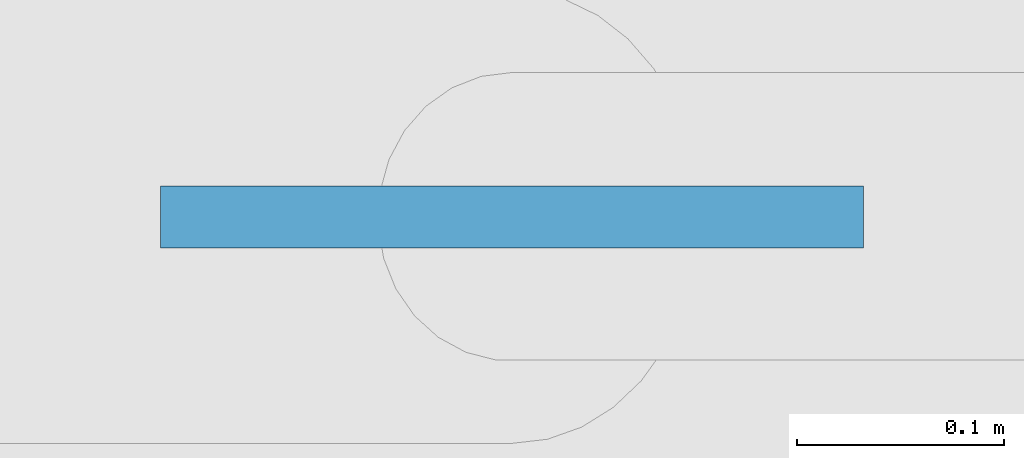
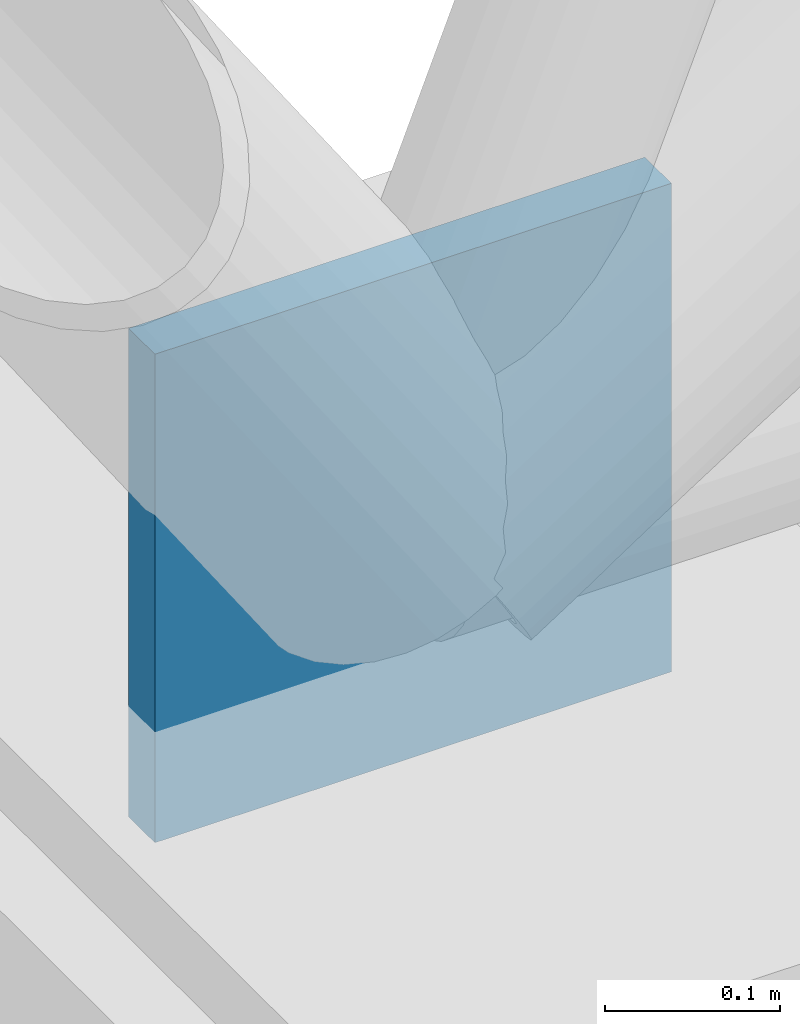
# One storey, part 52 of 65: 1 discrete accessory.
"""IFC4 building model written with IfcOpenShell, lengths in metres."""

from ifc_helpers import new_model, si_unit, direction, frame, origin, origin_2d, place, context, subcontext, project, spatial, rectangle, extrude, material, layer, layer_set, type_object, element, save


model = new_model("IFC4")

# Units and contexts
model_context = context("Model", 3, precision=1e-05, world=origin(), true_north=direction((0.0, 1.0)))
body_context = subcontext(model_context, "Body", "Model", "MODEL_VIEW")
ifc_project = project(units=[si_unit("LENGTHUNIT", "METRE"), si_unit("AREAUNIT", "SQUARE_METRE"), si_unit("VOLUMEUNIT", "CUBIC_METRE"), si_unit("PLANEANGLEUNIT", "RADIAN"), si_unit("MASSUNIT", "GRAM", prefix="KILO")], contexts=[model_context])

# Site, building, storey
site_placement = place(None, origin())
site = spatial("IfcSite", under=ifc_project, at=site_placement, CompositionType="ELEMENT")
building_placement = place(site_placement, origin())
building = spatial("IfcBuilding", under=site, at=building_placement, Name="Elbe Cascade School", CompositionType="ELEMENT")
storey_placement = place(building_placement, frame((0.0, 0.0, 11.699951171875)))
storey = spatial("IfcBuildingStorey", under=building, at=storey_placement, Name="L03", CompositionType="ELEMENT", Elevation=11.699951171875)

# Discrete accessory
ifc_material = material(Name="Steel S355J2", Category="steel")
ifc_layer = layer(ifc_material, 0.030029296875)
ifc_layer_set = layer_set([ifc_layer], Name="Steel S355J2")
discrete_accessory_type = type_object("IfcDiscreteAccessoryType", Name="Truss node connection", PredefinedType="BRACKET", material=ifc_layer_set)
discrete_accessory_placement = place(storey_placement, frame((8.0, 69.5, 1.72216796875), z_axis=(0.0, 0.0, 1.0), x_axis=(1.0, 0.0, 0.0)))
element("IfcDiscreteAccessory", 1, at=discrete_accessory_placement, inside=storey, type_object=discrete_accessory_type, Name="Truss node connection AC1", PredefinedType="BRACKET", context=body_context, shape_type="SweptSolid", body=[
    extrude(rectangle(XDim=0.340087890625, YDim=0.030029296875, at=origin_2d()), origin(), (0.0, 0.0, 1.0), 0.340087890625),
])

save(model, "model.ifc")
